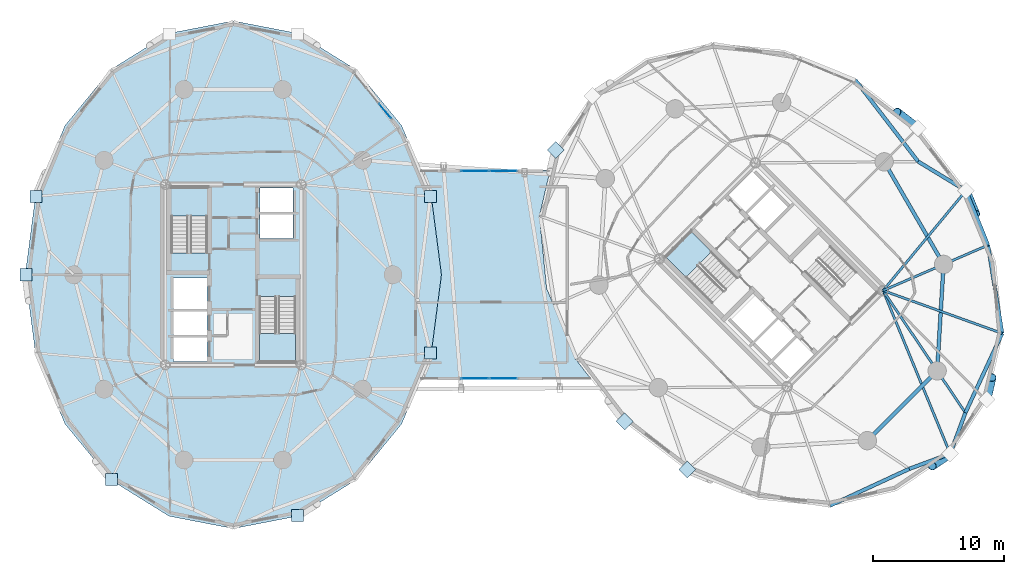
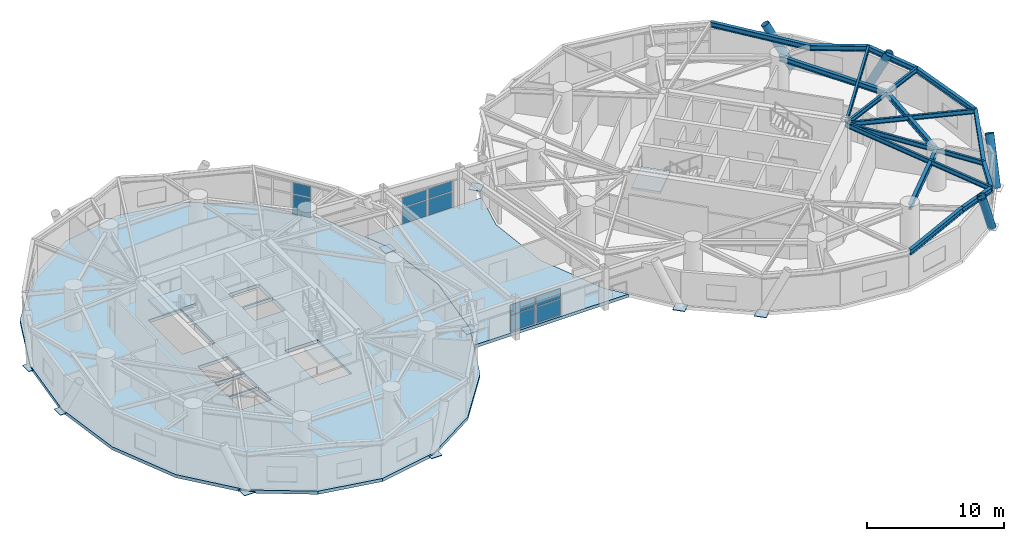
# One storey, part 11 of 20: 19 plates, 16 beams, 5 slabs, 4 members, 6 elements without a shape of their own.
"""IFC4 building model written with IfcOpenShell, lengths in metres."""

from ifc_helpers import new_model, si_unit, direction, frame, origin, origin_2d, place, context, subcontext, project, spatial, polyline, rectangle, hollow_circle, i_section, outline, extrude, source, transform, mapped, material, layer, layer_set, material_profile, profile_set, type_object, element, aggregate, save


model = new_model("IFC4")

# Units and contexts
model_context = context("Model", 3, precision=1e-05, world=origin(), true_north=direction((0.0, 1.0)))
body_context = subcontext(model_context, "Body", "Model", "MODEL_VIEW")
ifc_project = project(units=[si_unit("LENGTHUNIT", "METRE"), si_unit("AREAUNIT", "SQUARE_METRE"), si_unit("VOLUMEUNIT", "CUBIC_METRE"), si_unit("PLANEANGLEUNIT", "RADIAN"), si_unit("MASSUNIT", "GRAM", prefix="KILO")], contexts=[model_context])

# Site, building, storey
site_placement = place(None, origin())
site = spatial("IfcSite", under=ifc_project, at=site_placement, CompositionType="ELEMENT")
building_placement = place(site_placement, origin())
building = spatial("IfcBuilding", under=site, at=building_placement, Name="Cununo Teusaquillo Station Towers", CompositionType="ELEMENT")
storey_placement = place(building_placement, frame((0.0, 0.0, 129.159912109375)))
storey = spatial("IfcBuildingStorey", under=building, at=storey_placement, Name="L41", CompositionType="ELEMENT", Elevation=129.159912109375)

# Beams
ifc_material_1 = material(Name="Steel ASTM A572 Grade 50", Category="steel")
ifc_material_profile_1 = material_profile(ifc_material_1, i_section(OverallWidth=0.180908203125, OverallDepth=0.4169921875, WebThickness=0.010986328125, FlangeThickness=0.018310546875, FilletRadius=0.012939453125, at=origin_2d()), Name="W16X57")
ifc_profile_set_1 = profile_set([ifc_material_profile_1], Name="Steel ASTM A572 Grade 50")
beam_type_1 = type_object("IfcBeamType", Name="BM-JOIST-1", PredefinedType="JOIST", material=ifc_profile_set_1)
beam_1_placement = place(storey_placement, frame((66.024169921875, 23.29443359375, 3.231689453125), z_axis=(0.380485864505, -0.924786735908, 0.0), x_axis=(0.924786735908, 0.380485864505, 0.0)))
element("IfcBeam", 1, at=beam_1_placement, inside=storey, type_object=beam_type_1, Name="L41 Tower B Radial Spandrel Joist V15", PredefinedType="JOIST", context=body_context, shape_type="SweptSolid", body=[
    extrude(i_section(OverallWidth=0.180908203125, OverallDepth=0.4169921875, WebThickness=0.010986328125, FlangeThickness=0.018310546875, FilletRadius=0.012939453125, at=origin_2d()), origin(), (0.0, 0.0, 1.0), 13.44580078125),
])
beam_2_placement = place(storey_placement, frame((66.024169921875, 23.29443359375, 3.231689453125), z_axis=(0.941082771055, -0.338176312038, 0.0), x_axis=(0.338176312038, 0.941082771055, 0.0)))
element("IfcBeam", 2, at=beam_2_placement, inside=storey, type_object=beam_type_1, Name="L41 Tower B Radial Spandrel Joist V17", PredefinedType="JOIST", context=body_context, shape_type="SweptSolid", body=[
    extrude(i_section(OverallWidth=0.180908203125, OverallDepth=0.4169921875, WebThickness=0.010986328125, FlangeThickness=0.018310546875, FilletRadius=0.012939453125, at=origin_2d()), origin(), (0.0, 0.0, 1.0), 9.646484375),
])
beam_3_placement = place(storey_placement, frame((66.024169921875, 23.29443359375, 3.231689453125), z_axis=(0.638372238196, 0.769727799615, 0.0), x_axis=(-0.769727799615, 0.638372238196, 0.0)))
element("IfcBeam", 3, at=beam_3_placement, inside=storey, type_object=beam_type_1, Name="L41 Tower B Radial Spandrel Joist V19", PredefinedType="JOIST", context=body_context, shape_type="SweptSolid", body=[
    extrude(i_section(OverallWidth=0.180908203125, OverallDepth=0.4169921875, WebThickness=0.010986328125, FlangeThickness=0.018310546875, FilletRadius=0.012939453125, at=origin_2d()), origin(), (0.0, 0.0, 1.0), 9.895263671875),
])
ifc_material_2 = material(Name="Steel ASTM A572 Grade 50", Category="steel")
ifc_material_profile_2 = material_profile(ifc_material_2, i_section(OverallWidth=0.180908203125, OverallDepth=0.4169921875, WebThickness=0.010986328125, FlangeThickness=0.018310546875, FilletRadius=0.012939453125, at=origin_2d()), Name="W16X57")
ifc_profile_set_2 = profile_set([ifc_material_profile_2], Name="Steel ASTM A572 Grade 50")
beam_type_2 = type_object("IfcBeamType", Name="BM-RAD-G2", PredefinedType="BEAM", material=ifc_profile_set_2)
beam_4_placement = place(storey_placement, frame((66.024169921875, 23.29443359375, 3.231689453125), z_axis=(0.558572297481, -0.82945583878, 0.0), x_axis=(0.82945583878, 0.558572297481, 0.0)))
element("IfcBeam", 4, at=beam_4_placement, inside=storey, type_object=beam_type_2, Name="L41 Tower B Continuous Overhanging Radial Girder 09", PredefinedType="BEAM", context=body_context, shape_type="SweptSolid", body=[
    extrude(i_section(OverallWidth=0.180908203125, OverallDepth=0.4169921875, WebThickness=0.010986328125, FlangeThickness=0.018310546875, FilletRadius=0.012939453125, at=origin_2d()), origin(), (0.0, 0.0, 1.0), 11.22998046875),
])
beam_5_placement = place(storey_placement, frame((66.024169921875, 23.29443359375, 3.231689453125), z_axis=(0.917654733344, 0.397378648609, 0.0), x_axis=(-0.397378648609, 0.917654733344, 0.0)))
element("IfcBeam", 5, at=beam_5_placement, inside=storey, type_object=beam_type_2, Name="L41 Tower B Continuous Overhanging Radial Girder 10", PredefinedType="BEAM", context=body_context, shape_type="SweptSolid", body=[
    extrude(i_section(OverallWidth=0.180908203125, OverallDepth=0.4169921875, WebThickness=0.010986328125, FlangeThickness=0.018310546875, FilletRadius=0.012939453125, at=origin_2d()), origin(), (0.0, 0.0, 1.0), 8.71484375),
])
ifc_material_3 = material(Name="Steel ASTM A572 Grade 50", Category="steel")
ifc_material_profile_3 = material_profile(ifc_material_3, i_section(OverallWidth=0.280029296875, OverallDepth=0.462890625, WebThickness=0.0107421875, FlangeThickness=0.017333984375, FilletRadius=0.013916015625, at=origin_2d()), Name="W18X76")
ifc_profile_set_3 = profile_set([ifc_material_profile_3], Name="Steel ASTM A572 Grade 50")
beam_type_3 = type_object("IfcBeamType", Name="BM-RING-Z2", PredefinedType="SPANDREL", material=ifc_profile_set_3)
beam_6_placement = place(storey_placement, frame((64.826904296875, 11.853759765625, 3.20849609375), z_axis=(0.707106781187, 0.707106781187, 0.0), x_axis=(-0.707106781187, 0.707106781187, 0.0)))
element("IfcBeam", 6, at=beam_6_placement, inside=storey, type_object=beam_type_3, Name="L41 Tower B Structural Column Ring Girder 08", PredefinedType="SPANDREL", context=body_context, shape_type="SweptSolid", body=[
    extrude(i_section(OverallWidth=0.280029296875, OverallDepth=0.462890625, WebThickness=0.0107421875, FlangeThickness=0.017333984375, FilletRadius=0.013916015625, at=origin_2d()), origin(), (0.0, 0.0, 1.0), 7.522705078125),
])
beam_7_placement = place(storey_placement, frame((70.146240234375, 17.173095703125, 3.20849609375), z_axis=(0.06012979176, 0.998190567048, 0.0), x_axis=(-0.998190567048, 0.06012979176, 0.0)))
element("IfcBeam", 7, at=beam_7_placement, inside=storey, type_object=beam_type_3, Name="L41 Tower B Structural Column Ring Girder 09", PredefinedType="SPANDREL", context=body_context, shape_type="SweptSolid", body=[
    extrude(i_section(OverallWidth=0.280029296875, OverallDepth=0.462890625, WebThickness=0.0107421875, FlangeThickness=0.017333984375, FilletRadius=0.013916015625, at=origin_2d()), origin(), (0.0, 0.0, 1.0), 8.132568359375),
])
beam_8_placement = place(storey_placement, frame((70.63525390625, 25.291015625, 3.20849609375), z_axis=(-0.501311121078, 0.865267103202, 0.0), x_axis=(-0.865267103202, -0.501311121078, 0.0)))
element("IfcBeam", 8, at=beam_8_placement, inside=storey, type_object=beam_type_3, Name="L41 Tower B Structural Column Ring Girder 10", PredefinedType="SPANDREL", context=body_context, shape_type="SweptSolid", body=[
    extrude(i_section(OverallWidth=0.280029296875, OverallDepth=0.462890625, WebThickness=0.0107421875, FlangeThickness=0.017333984375, FilletRadius=0.013916015625, at=origin_2d()), origin(), (0.0, 0.0, 1.0), 9.032958984375),
])
beam_9_placement = place(storey_placement, frame((68.694580078125, 33.12890625, 3.20849609375), z_axis=(-0.610100441726, 0.792324082056, 0.0), x_axis=(-0.792324082056, -0.610100441726, 0.0)))
element("IfcBeam", 9, at=beam_9_placement, inside=storey, type_object=beam_type_3, Name="L41 Tower B Spandrel Ring Beam 01", PredefinedType="SPANDREL", context=body_context, shape_type="SweptSolid", body=[
    extrude(i_section(OverallWidth=0.280029296875, OverallDepth=0.462890625, WebThickness=0.0107421875, FlangeThickness=0.017333984375, FilletRadius=0.013916015625, at=origin_2d()), origin(), (0.0, 0.0, 1.0), 7.84033203125),
])
beam_10_placement = place(storey_placement, frame((61.9677734375, 6.897705078125, 3.20849609375), z_axis=(0.907275870354, 0.420535961689, 0.0), x_axis=(-0.420535961689, 0.907275870354, 0.0)))
element("IfcBeam", 10, at=beam_10_placement, inside=storey, type_object=beam_type_3, Name="L41 Tower B Spandrel Ring Beam 14", PredefinedType="SPANDREL", context=body_context, shape_type="SweptSolid", body=[
    extrude(i_section(OverallWidth=0.280029296875, OverallDepth=0.462890625, WebThickness=0.0107421875, FlangeThickness=0.017333984375, FilletRadius=0.013916015625, at=origin_2d()), origin(), (0.0, 0.0, 1.0), 6.671142578125),
])
for number, where, z_axis, x_axis, name in (
    (11, (68.020263671875, 9.703125, 3.20849609375), (0.937628334414, 0.347639333943, 0.0), (-0.347639333943, 0.937628334414, 0.0), "L41 Tower B Spandrel Ring Beam 15"),
    (12, (71.14013671875, 10.85986328125, 3.20849609375), (0.347639333943, 0.937628334414, 0.0), (-0.937628334414, 0.347639333943, 0.0), "L41 Tower B Spandrel Ring Beam 16"),
):
    element("IfcBeam", number, at=place(storey_placement, frame(where, z_axis=z_axis, x_axis=x_axis)), inside=storey, type_object=beam_type_3, Name=name, PredefinedType="SPANDREL", context=body_context, shape_type="SweptSolid", body=[
        extrude(i_section(OverallWidth=0.280029296875, OverallDepth=0.462890625, WebThickness=0.0107421875, FlangeThickness=0.017333984375, FilletRadius=0.013916015625, at=origin_2d()), origin(), (0.0, 0.0, 1.0), 3.327392578125),
    ])
beam_11_placement = place(storey_placement, frame((72.296875, 13.979736328125, 3.20849609375), z_axis=(0.420535961689, 0.907275870354, 0.0), x_axis=(-0.907275870354, 0.420535961689, 0.0)))
element("IfcBeam", 13, at=beam_11_placement, inside=storey, type_object=beam_type_3, Name="L41 Tower B Spandrel Ring Beam 17", PredefinedType="SPANDREL", context=body_context, shape_type="SweptSolid", body=[
    extrude(i_section(OverallWidth=0.280029296875, OverallDepth=0.462890625, WebThickness=0.0107421875, FlangeThickness=0.017333984375, FilletRadius=0.013916015625, at=origin_2d()), origin(), (0.0, 0.0, 1.0), 6.671142578125),
])
beam_12_placement = place(storey_placement, frame((75.102294921875, 20.0322265625, 3.20849609375), z_axis=(-0.158671232312, 0.987331474246, 0.0), x_axis=(-0.987331474246, -0.158671232312, 0.0)))
element("IfcBeam", 14, at=beam_12_placement, inside=storey, type_object=beam_type_3, Name="L41 Tower B Spandrel Ring Beam 18", PredefinedType="SPANDREL", context=body_context, shape_type="SweptSolid", body=[
    extrude(i_section(OverallWidth=0.280029296875, OverallDepth=0.462890625, WebThickness=0.0107421875, FlangeThickness=0.017333984375, FilletRadius=0.013916015625, at=origin_2d()), origin(), (0.0, 0.0, 1.0), 6.8115234375),
])
beam_13_placement = place(storey_placement, frame((74.021484375, 26.757568359375, 3.20849609375), z_axis=(-0.375042266631, 0.927007712072, 0.0), x_axis=(-0.927007712072, -0.375042266631, 0.0)))
element("IfcBeam", 15, at=beam_13_placement, inside=storey, type_object=beam_type_3, Name="L41 Tower B Spandrel Ring Beam 19", PredefinedType="SPANDREL", context=body_context, shape_type="SweptSolid", body=[
    extrude(i_section(OverallWidth=0.280029296875, OverallDepth=0.462890625, WebThickness=0.0107421875, FlangeThickness=0.017333984375, FilletRadius=0.013916015625, at=origin_2d()), origin(), (0.0, 0.0, 1.0), 4.480712890625),
])
beam_14_placement = place(storey_placement, frame((72.341064453125, 30.9111328125, 3.20849609375), z_axis=(-0.854388492444, 0.519634779416, 0.0), x_axis=(-0.519634779416, -0.854388492444, 0.0)))
element("IfcBeam", 16, at=beam_14_placement, inside=storey, type_object=beam_type_3, Name="L41 Tower B Spandrel Ring Beam 20", PredefinedType="SPANDREL", context=body_context, shape_type="SweptSolid", body=[
    extrude(i_section(OverallWidth=0.280029296875, OverallDepth=0.462890625, WebThickness=0.0107421875, FlangeThickness=0.017333984375, FilletRadius=0.013916015625, at=origin_2d()), origin(), (0.0, 0.0, 1.0), 4.26806640625),
])

# Members
ifc_material_4 = material(Name="Steel EN 10025-2 S355J2", Category="steel")
ifc_material_profile_4 = material_profile(ifc_material_4, hollow_circle(Radius=0.330078125, WallThickness=0.02490234375, at=origin_2d()), Name="CHS 660x25")
ifc_profile_set_4 = profile_set([ifc_material_profile_4], Name="Steel EN 10025-2 S355J2")
member_type = type_object("IfcMemberType", Name="MBR-DIAG-Z2", PredefinedType="BRACE", material=ifc_profile_set_4)
member_1_placement = place(storey_placement, frame((68.673095703125, 35.673095703125, -0.139892578125), z_axis=(-0.375692417453, 0.289367521779, 0.88040992998), x_axis=(-0.610205273886, -0.792243348803, 0.0)))
element("IfcMember", 17, at=member_1_placement, inside=storey, type_object=member_type, Name="L41 Tower B Folded-Zigzag Diagrid Tube C00", PredefinedType="BRACE", context=body_context, shape_type="SweptSolid", body=[
    extrude(hollow_circle(Radius=0.330078125, WallThickness=0.02490234375, at=origin_2d()), origin(), (0.0, 0.0, 1.0), 4.225341796875),
])
member_2_placement = place(storey_placement, frame((71.14013671875, 10.85986328125, -0.139892578125), z_axis=(-0.337254741435, -0.227973654759, 0.913393262574), x_axis=(0.560024081213, -0.828476329452, 0.0)))
element("IfcMember", 18, at=member_2_placement, inside=storey, type_object=member_type, Name="L41 Tower B Folded-Zigzag Diagrid Tube C14", PredefinedType="BRACE", context=body_context, shape_type="SweptSolid", body=[
    extrude(hollow_circle(Radius=0.330078125, WallThickness=0.02490234375, at=origin_2d()), origin(), (0.0, 0.0, 1.0), 4.07275390625),
])
member_3_placement = place(storey_placement, frame((73.92529296875, 14.980224609375, -0.139892578125), z_axis=(0.095639341372, 0.410529045914, 0.90681807373), x_axis=(-0.973920299704, 0.226890391653, 0.0)))
element("IfcMember", 19, at=member_3_placement, inside=storey, type_object=member_type, Name="L41 Tower B Folded-Zigzag Diagrid Tube C16", PredefinedType="BRACE", context=body_context, shape_type="SweptSolid", body=[
    extrude(hollow_circle(Radius=0.330078125, WallThickness=0.02490234375, at=origin_2d()), origin(), (0.0, 0.0, 1.0), 4.102294921875),
])
member_4_placement = place(storey_placement, frame((72.341064453125, 30.9111328125, -0.139892578125), z_axis=(0.175981676985, -0.428115425103, 0.886424070157), x_axis=(0.924906987989, 0.380193455452, 0.0)))
element("IfcMember", 20, at=member_4_placement, inside=storey, type_object=member_type, Name="L41 Tower B Folded-Zigzag Diagrid Tube C18", PredefinedType="BRACE", context=body_context, shape_type="SweptSolid", body=[
    extrude(hollow_circle(Radius=0.330078125, WallThickness=0.02490234375, at=origin_2d()), origin(), (0.0, 0.0, 1.0), 4.196533203125),
])

# Slabs
ifc_material_5 = material(Name="Concrete C50/60", Category="concrete")
ifc_layer_1 = layer(ifc_material_5, 0.280029296875)
ifc_layer_set_1 = layer_set([ifc_layer_1], Name="Concrete C50/60")
slab_type_1 = type_object("IfcSlabType", Name="SLB-BRG-280", PredefinedType="FLOOR", material=ifc_layer_set_1)
slab_1_placement = place(storey_placement, frame((0.0, 0.0, -0.280029296875)))
element("IfcSlab", 21, at=slab_1_placement, inside=storey, type_object=slab_type_1, Name="L41 Tower A Floor Slab", PredefinedType="FLOOR", context=body_context, shape_type="SweptSolid", body=[
    extrude(outline(polyline([(32.361083984375, 24.5), (31.584716796875, 30.4794921875), (29.331787109375, 35.87353515625), (25.822998046875, 40.154541015625), (21.4013671875, 42.90283203125), (16.5, 43.85009765625), (11.5986328125, 42.90283203125), (7.177001953125, 40.154541015625), (3.668212890625, 35.87353515625), (1.415283203125, 30.4794921875), (0.638916015625, 24.5), (1.415283203125, 18.5205078125), (3.668212890625, 13.12646484375), (7.177001953125, 8.845458984375), (11.5986328125, 6.09716796875), (16.5, 5.14990234375), (21.4013671875, 6.09716796875), (25.822998046875, 8.845458984375), (29.331787109375, 13.12646484375), (31.584716796875, 18.5205078125), (32.361083984375, 24.5)]), holes=[polyline([(14.52001953125, 26.176025390625), (14.52001953125, 31.159912109375), (11.760009765625, 31.159912109375), (11.760009765625, 26.176025390625), (14.52001953125, 26.176025390625)]), polyline([(18.47998046875, 22.823974609375), (18.47998046875, 17.840087890625), (21.239990234375, 17.840087890625), (21.239990234375, 22.823974609375), (18.47998046875, 22.823974609375)]), polyline([(11.949951171875, 21.85009765625), (14.47998046875, 21.85009765625), (14.47998046875, 24.25), (11.949951171875, 24.25), (11.949951171875, 21.85009765625)]), polyline([(11.949951171875, 17.89990234375), (14.47998046875, 17.89990234375), (14.47998046875, 19.75), (11.949951171875, 19.75), (11.949951171875, 17.89990234375)]), polyline([(11.949951171875, 19.89990234375), (14.47998046875, 19.89990234375), (14.47998046875, 21.75), (11.949951171875, 21.75), (11.949951171875, 19.89990234375)]), polyline([(18.52001953125, 27.25), (21.050048828125, 27.25), (21.050048828125, 29.10009765625), (18.52001953125, 29.10009765625), (18.52001953125, 27.25)]), polyline([(18.52001953125, 29.25), (21.050048828125, 29.25), (21.050048828125, 31.10009765625), (18.52001953125, 31.10009765625), (18.52001953125, 29.25)])]), origin(), (0.0, 0.0, 1.0), 0.280029296875),
])
slab_2_placement = place(storey_placement, frame((0.0, 0.0, -0.280029296875)))
element("IfcSlab", 22, at=slab_2_placement, inside=storey, type_object=slab_type_1, Name="L41 Mid-Bridge Link Floor Slab", PredefinedType="FLOOR", context=body_context, shape_type="SweptSolid", body=[
    extrude(outline(polyline([(30.74609375, 16.5), (31.58935546875, 18.5185546875), (31.589599609375, 18.51904296875), (31.589599609375, 18.519287109375), (31.589599609375, 18.52001953125), (32.365966796875, 24.49951171875), (32.365966796875, 24.499755859375), (32.365966796875, 24.500244140625), (32.365966796875, 24.50048828125), (31.589599609375, 30.47998046875), (31.589599609375, 30.480712890625), (31.589599609375, 30.48095703125), (31.58935546875, 30.4814453125), (30.74609375, 32.5), (40.6552734375, 32.5), (39.83349609375, 28.978271484375), (39.833251953125, 28.977783203125), (39.833251953125, 28.977294921875), (39.833251953125, 28.9765625), (40.379150390625, 23.468505859375), (40.37939453125, 23.468017578125), (40.37939453125, 23.467529296875), (40.379638671875, 23.467041015625), (42.600830078125, 18.059814453125), (42.60107421875, 18.059326171875), (42.601318359375, 18.05908203125), (42.601318359375, 18.05859375), (43.802001953125, 16.5), (30.74609375, 16.5)])), origin(), (0.0, 0.0, 1.0), 0.280029296875),
])

# Stair, slab
ifc_material_6 = material(Name="Concrete C50/60", Category="concrete")
stair_type = type_object("IfcStairType", Name="ST-TWR-1300", PredefinedType="HALF_TURN_STAIR", material=ifc_material_6)
stair_1_placement = place(storey_placement, origin())
stair_1 = element("IfcStair", 23, at=stair_1_placement, inside=storey, type_object=stair_type, Name="L41 Tower A Protected Core Exit Stair 1", PredefinedType="HALF_TURN_STAIR")
ifc_material_7 = material(Name="Concrete C50/60", Category="concrete")
ifc_layer_2 = layer(ifc_material_7, 0.199951171875)
ifc_layer_set_2 = layer_set([ifc_layer_2], Name="Concrete C50/60")
slab_type_2 = type_object("IfcSlabType", Name="SLB-STAIR-LND", PredefinedType="LANDING", material=ifc_layer_set_2)
slab_3_placement = place(storey_placement, frame((0.0, 0.0, 1.66015625)))
slab_3 = element("IfcSlab", 24, at=slab_3_placement, type_object=slab_type_2, Name="ST-T1-1 landing 1", PredefinedType="LANDING", context=body_context, shape_type="SweptSolid", body=[
    extrude(outline(polyline([(14.52001953125, 28.969970703125), (14.52001953125, 31.159912109375), (11.760009765625, 31.159912109375), (11.760009765625, 28.969970703125), (14.52001953125, 28.969970703125)])), origin(), (0.0, 0.0, 1.0), 0.199951171875),
])
aggregate(stair_1, [slab_3])

stair_2_placement = place(storey_placement, origin())
stair_2 = element("IfcStair", 25, at=stair_2_placement, inside=storey, type_object=stair_type, Name="L41 Tower A Protected Core Exit Stair 2", PredefinedType="HALF_TURN_STAIR")
slab_4_placement = place(storey_placement, frame((0.0, 0.0, 1.66015625)))
slab_4 = element("IfcSlab", 26, at=slab_4_placement, type_object=slab_type_2, Name="ST-T1-2 landing 1", PredefinedType="LANDING", context=body_context, shape_type="SweptSolid", body=[
    extrude(outline(polyline([(18.47998046875, 20.030029296875), (18.47998046875, 17.840087890625), (21.239990234375, 17.840087890625), (21.239990234375, 20.030029296875), (18.47998046875, 20.030029296875)])), origin(), (0.0, 0.0, 1.0), 0.199951171875),
])
aggregate(stair_2, [slab_4])

stair_3_placement = place(storey_placement, origin())
stair_3 = element("IfcStair", 27, at=stair_3_placement, inside=storey, type_object=stair_type, Name="L41 Tower B Protected Core Exit Stair 1", PredefinedType="HALF_TURN_STAIR")
slab_5_placement = place(storey_placement, frame((0.0, 0.0, 1.66015625)))
slab_5 = element("IfcSlab", 28, at=slab_5_placement, type_object=slab_type_2, Name="ST-T2-1 landing 1", PredefinedType="LANDING", context=body_context, shape_type="SweptSolid", body=[
    extrude(outline(polyline([(52.939208984375, 26.2607421875), (51.390625, 27.809326171875), (49.43896484375, 25.857666015625), (50.987548828125, 24.30908203125), (52.939208984375, 26.2607421875)])), origin(), (0.0, 0.0, 1.0), 0.199951171875),
])
aggregate(stair_3, [slab_5])

# Plates
ifc_material_8 = material(Name="Steel ASTM A572 Grade 50", Category="steel")
ifc_layer_3 = layer(ifc_material_8, 0.050048828125)
ifc_layer_set_3 = layer_set([ifc_layer_3], Name="Steel ASTM A572 Grade 50")
plate_type_1 = type_object("IfcPlateType", Name="PLT-NODE-DN1", PredefinedType="USERDEFINED", material=ifc_layer_set_3)
shared_shape_1 = source(origin(), body_context, "Body", "SweptSolid", [
    extrude(rectangle(XDim=0.919921875, YDim=0.919921875, at=origin_2d()), origin(), (0.0, 0.0, 1.0), 0.050048828125),
])
for number, where, z_axis, x_axis, name in (
    (29, (31.527587890625, 30.4609375, -0.1650390625), (0.0, 0.0, 1.0), (1.0, 0.0, 0.0), "L41 Tower A Diagrid Node Assembly C01"),
    (30, (1.472412109375, 30.4609375, -0.1650390625), (0.0, 0.0, 1.0), (1.0, 0.0, 0.0), "L41 Tower A Diagrid Node Assembly C08"),
    (31, (0.698974609375, 24.5, -0.1650390625), (0.0, 0.0, 1.0), (1.0, 0.0, 0.0), "L41 Tower A Diagrid Node Assembly C10"),
    (32, (7.21240234375, 8.89404296875, -0.1650390625), (0.0, 0.0, 1.0), (1.0, 0.0, 0.0), "L41 Tower A Diagrid Node Assembly C12"),
    (33, (21.3828125, 6.154052734375, -0.1650390625), (0.0, 0.0, 1.0), (1.0, 0.0, 0.0), "L41 Tower A Diagrid Node Assembly C16"),
    (34, (31.527587890625, 18.5390625, -0.1650390625), (0.0, 0.0, 1.0), (1.0, 0.0, 0.0), "L41 Tower A Diagrid Node Assembly C18"),
    (35, (41.07470703125, 34.019775390625, -0.1650390625), (0.0, 0.0, 1.0), (0.707106781187, 0.707106781187, 0.0), "L41 Tower B Diagrid Node Assembly C06"),
    (36, (46.326904296875, 13.326904296875, -0.1650390625), (0.0, 0.0, 1.0), (0.707106781187, 0.707106781187, 0.0), "L41 Tower B Diagrid Node Assembly C09"),
    (37, (51.0888671875, 9.658935546875, -0.1650390625), (0.0, 0.0, 1.0), (0.707106781187, 0.707106781187, 0.0), "L41 Tower B Diagrid Node Assembly C11"),
):
    element("IfcPlate", number, at=place(storey_placement, frame(where, z_axis=z_axis, x_axis=x_axis)), inside=storey, type_object=plate_type_1, Name=name, ObjectType="GUSSET PLATE", PredefinedType="USERDEFINED", context=body_context, shape_type="MappedRepresentation", body=[
        mapped(shared_shape_1, transform((0.0, 0.0, 0.0), x_axis=(1.0, 0.0, 0.0), y_axis=(0.0, 1.0, 0.0), z_axis=(0.0, 0.0, 1.0), scale=1.0)),
    ])

# Curtain wall, plates
ifc_material_9 = material(Name="Ceramic-fritted dark low-E double glazing", Category="glass")
ifc_layer_4 = layer(ifc_material_9, 0.179931640625)
ifc_layer_set_4 = layer_set([ifc_layer_4], Name="Ceramic-fritted dark low-E double glazing")
curtain_wall_type_1 = type_object("IfcCurtainWallType", Name="CW-SYS-04", PredefinedType="USERDEFINED", material=ifc_layer_set_4)
curtain_wall_1_placement = place(storey_placement, origin())
curtain_wall_1 = element("IfcCurtainWall", 38, at=curtain_wall_1_placement, inside=storey, type_object=curtain_wall_type_1, Name="L41 Tower A Facade Curtain Wall C02", ObjectType="FRITTED GLAZING", PredefinedType="USERDEFINED")
ifc_material_10 = material(Name="Ceramic-fritted dark low-E double glazing", Category="glass")
ifc_layer_5 = layer(ifc_material_10, 0.028076171875)
ifc_layer_set_5 = layer_set([ifc_layer_5], Name="Ceramic-fritted dark low-E double glazing")
plate_type_2 = type_object("IfcPlateType", Name="CWP-FRIT-28", PredefinedType="CURTAIN_PANEL", material=ifc_layer_set_5)
shared_shape_2 = source(origin(), body_context, "Body", "SweptSolid", [
    extrude(rectangle(XDim=1.427734375, YDim=0.028076171875, at=origin_2d()), origin(), (0.0, 0.0, 1.0), 1.7451171875),
])
plate_1_placement = place(storey_placement, frame((28.071533203125, 36.974365234375, 0.070068359375), z_axis=(0.0, 0.0, 1.0), x_axis=(0.63270351247, -0.774394127889, 0.0)))
plate_1 = element("IfcPlate", 39, at=plate_1_placement, type_object=plate_type_2, Name="CW-04 panel 3.1", PredefinedType="CURTAIN_PANEL", context=body_context, shape_type="MappedRepresentation", body=[
    mapped(shared_shape_2, transform((0.0, 0.0, 0.0), x_axis=(1.0, 0.0, 0.0), y_axis=(0.0, 1.0, 0.0), z_axis=(0.0, 0.0, 1.0), scale=1.0)),
])
shared_shape_3 = source(origin(), body_context, "Body", "SweptSolid", [
    extrude(rectangle(XDim=1.427734375, YDim=0.028076171875, at=origin_2d()), origin(), (0.0, 0.0, 1.0), 0.993896484375),
])
plate_2_placement = place(storey_placement, frame((28.071533203125, 36.974365234375, 1.88525390625), z_axis=(0.0, 0.0, 1.0), x_axis=(0.63270351247, -0.774394127889, 0.0)))
plate_2 = element("IfcPlate", 40, at=plate_2_placement, type_object=plate_type_2, Name="CW-04 panel 3.2", PredefinedType="CURTAIN_PANEL", context=body_context, shape_type="MappedRepresentation", body=[
    mapped(shared_shape_3, transform((0.0, 0.0, 0.0), x_axis=(1.0, 0.0, 0.0), y_axis=(0.0, 1.0, 0.0), z_axis=(0.0, 0.0, 1.0), scale=1.0)),
])
aggregate(curtain_wall_1, [plate_1, plate_2])

ifc_material_11 = material(Name="Ceramic-fritted dark low-E double glazing", Category="glass")
ifc_layer_6 = layer(ifc_material_11, 0.179931640625)
ifc_layer_set_6 = layer_set([ifc_layer_6], Name="Ceramic-fritted dark low-E double glazing")
curtain_wall_type_2 = type_object("IfcCurtainWallType", Name="CW-SYS-05", PredefinedType="USERDEFINED", material=ifc_layer_set_6)
curtain_wall_2_placement = place(storey_placement, origin())
curtain_wall_2 = element("IfcCurtainWall", 41, at=curtain_wall_2_placement, inside=storey, type_object=curtain_wall_type_2, Name="L41 Mid-Bridge N Observation Curtain Wall", ObjectType="FRITTED GLAZING", PredefinedType="USERDEFINED")
shared_shape_4 = source(origin(), body_context, "Body", "SweptSolid", [
    extrude(rectangle(XDim=2.080078125, YDim=0.028076171875, at=origin_2d()), origin(), (0.0, 0.0, 1.0), 1.402099609375),
])
plate_3_placement = place(storey_placement, frame((34.919921875, 32.39990234375, 0.06982421875), z_axis=(0.0, 0.0, 1.0), x_axis=(1.0, 0.0, 0.0)))
plate_3 = element("IfcPlate", 42, at=plate_3_placement, type_object=plate_type_2, Name="CW-05 panel 1.1", PredefinedType="CURTAIN_PANEL", context=body_context, shape_type="MappedRepresentation", body=[
    mapped(shared_shape_4, transform((0.0, 0.0, 0.0), x_axis=(1.0, 0.0, 0.0), y_axis=(0.0, 1.0, 0.0), z_axis=(0.0, 0.0, 1.0), scale=1.0)),
])
plate_4_placement = place(storey_placement, frame((37.080078125, 32.39990234375, 0.06982421875), z_axis=(0.0, 0.0, 1.0), x_axis=(1.0, 0.0, 0.0)))
plate_4 = element("IfcPlate", 43, at=plate_4_placement, type_object=plate_type_2, Name="CW-05 panel 2.1", PredefinedType="CURTAIN_PANEL", context=body_context, shape_type="MappedRepresentation", body=[
    mapped(shared_shape_4, transform((0.0, 0.0, 0.0), x_axis=(1.0, 0.0, 0.0), y_axis=(0.0, 1.0, 0.0), z_axis=(0.0, 0.0, 1.0), scale=1.0)),
])

curtain_wall_3_placement = place(storey_placement, origin())
curtain_wall_3 = element("IfcCurtainWall", 44, at=curtain_wall_3_placement, inside=storey, type_object=curtain_wall_type_2, Name="L41 Mid-Bridge S Observation Curtain Wall", ObjectType="FRITTED GLAZING", PredefinedType="USERDEFINED")
plate_5_placement = place(storey_placement, frame((37.080078125, 16.60009765625, 0.06982421875), z_axis=(0.0, 0.0, 1.0), x_axis=(-1.0, 0.0, 0.0)))
plate_5 = element("IfcPlate", 45, at=plate_5_placement, type_object=plate_type_2, Name="CW-05 panel 1.1", PredefinedType="CURTAIN_PANEL", context=body_context, shape_type="MappedRepresentation", body=[
    mapped(shared_shape_4, transform((0.0, 0.0, 0.0), x_axis=(1.0, 0.0, 0.0), y_axis=(0.0, 1.0, 0.0), z_axis=(0.0, 0.0, 1.0), scale=1.0)),
])
plate_6_placement = place(storey_placement, frame((34.919921875, 16.60009765625, 0.06982421875), z_axis=(0.0, 0.0, 1.0), x_axis=(-1.0, 0.0, 0.0)))
plate_6 = element("IfcPlate", 46, at=plate_6_placement, type_object=plate_type_2, Name="CW-05 panel 2.1", PredefinedType="CURTAIN_PANEL", context=body_context, shape_type="MappedRepresentation", body=[
    mapped(shared_shape_4, transform((0.0, 0.0, 0.0), x_axis=(1.0, 0.0, 0.0), y_axis=(0.0, 1.0, 0.0), z_axis=(0.0, 0.0, 1.0), scale=1.0)),
])

# Plate
shared_shape_5 = source(origin(), body_context, "Body", "SweptSolid", [
    extrude(rectangle(XDim=2.080078125, YDim=0.028076171875, at=origin_2d()), origin(), (0.0, 0.0, 1.0), 0.89990234375),
])
plate_7_placement = place(storey_placement, frame((34.919921875, 32.39990234375, 1.542236328125), z_axis=(0.0, 0.0, 1.0), x_axis=(1.0, 0.0, 0.0)))
plate_7 = element("IfcPlate", 47, at=plate_7_placement, type_object=plate_type_2, Name="CW-05 panel 1.2", PredefinedType="CURTAIN_PANEL", context=body_context, shape_type="MappedRepresentation", body=[
    mapped(shared_shape_5, transform((0.0, 0.0, 0.0), x_axis=(1.0, 0.0, 0.0), y_axis=(0.0, 1.0, 0.0), z_axis=(0.0, 0.0, 1.0), scale=1.0)),
])

plate_8_placement = place(storey_placement, frame((37.080078125, 32.39990234375, 1.542236328125), z_axis=(0.0, 0.0, 1.0), x_axis=(1.0, 0.0, 0.0)))
plate_8 = element("IfcPlate", 48, at=plate_8_placement, type_object=plate_type_2, Name="CW-05 panel 2.2", PredefinedType="CURTAIN_PANEL", context=body_context, shape_type="MappedRepresentation", body=[
    mapped(shared_shape_5, transform((0.0, 0.0, 0.0), x_axis=(1.0, 0.0, 0.0), y_axis=(0.0, 1.0, 0.0), z_axis=(0.0, 0.0, 1.0), scale=1.0)),
])

aggregate(curtain_wall_2, [plate_3, plate_7, plate_4, plate_8])

plate_9_placement = place(storey_placement, frame((37.080078125, 16.60009765625, 1.542236328125), z_axis=(0.0, 0.0, 1.0), x_axis=(-1.0, 0.0, 0.0)))
plate_9 = element("IfcPlate", 49, at=plate_9_placement, type_object=plate_type_2, Name="CW-05 panel 1.2", PredefinedType="CURTAIN_PANEL", context=body_context, shape_type="MappedRepresentation", body=[
    mapped(shared_shape_5, transform((0.0, 0.0, 0.0), x_axis=(1.0, 0.0, 0.0), y_axis=(0.0, 1.0, 0.0), z_axis=(0.0, 0.0, 1.0), scale=1.0)),
])

plate_10_placement = place(storey_placement, frame((34.919921875, 16.60009765625, 1.542236328125), z_axis=(0.0, 0.0, 1.0), x_axis=(-1.0, 0.0, 0.0)))
plate_10 = element("IfcPlate", 50, at=plate_10_placement, type_object=plate_type_2, Name="CW-05 panel 2.2", PredefinedType="CURTAIN_PANEL", context=body_context, shape_type="MappedRepresentation", body=[
    mapped(shared_shape_5, transform((0.0, 0.0, 0.0), x_axis=(1.0, 0.0, 0.0), y_axis=(0.0, 1.0, 0.0), z_axis=(0.0, 0.0, 1.0), scale=1.0)),
])

aggregate(curtain_wall_3, [plate_5, plate_9, plate_6, plate_10])

save(model, "model.ifc")
